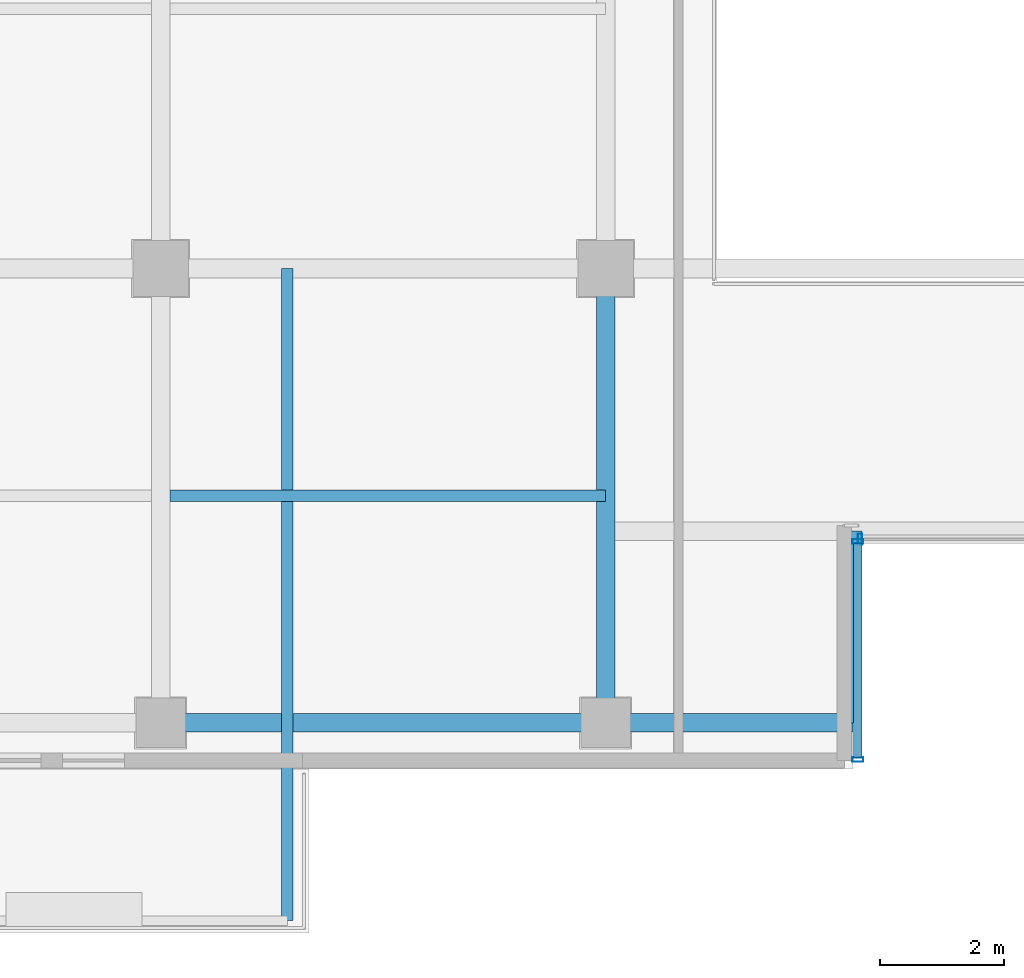
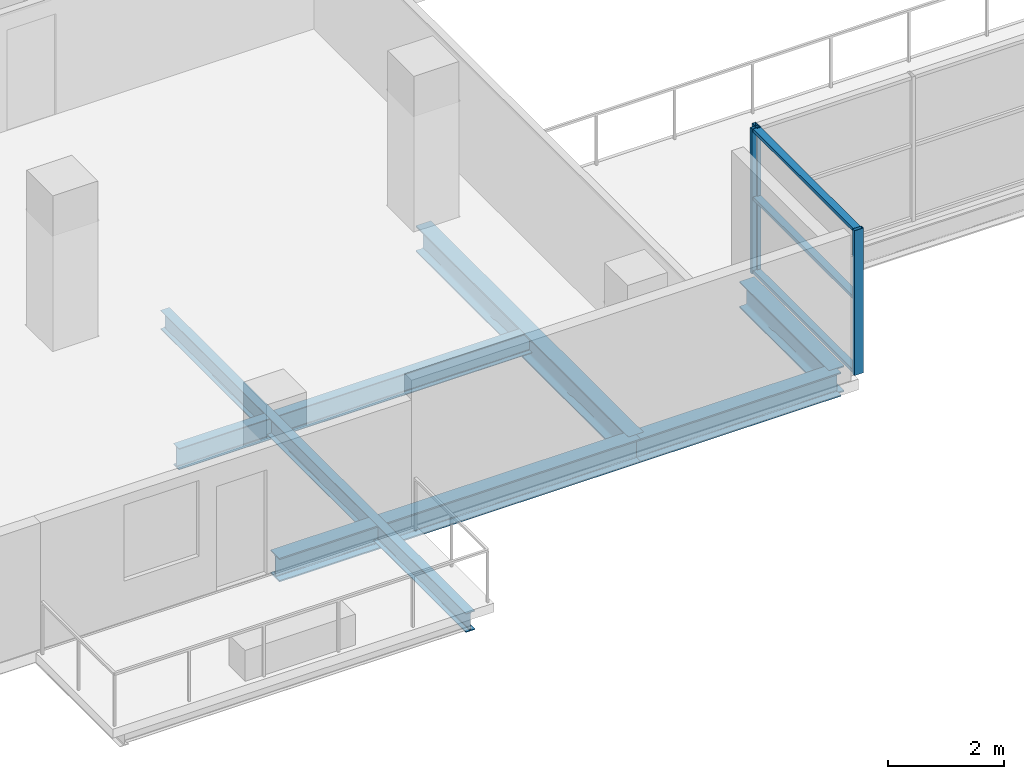
# One storey, part 5 of 27: 6 beams, 6 members, 2 elements without a shape of their own.
"""IFC4 building model written with IfcOpenShell, lengths in metres."""

from ifc_helpers import new_model, si_unit, direction, frame, origin, origin_2d, place, context, subcontext, project, spatial, hollow_rectangle, i_section, extrude, source, transform, mapped, material, layer, layer_set, material_profile, profile_set, type_object, element, aggregate, save


model = new_model("IFC4")

# Units and contexts
model_context = context("Model", 3, precision=1e-05, world=origin(), true_north=direction((0.0, 1.0)))
body_context = subcontext(model_context, "Body", "Model", "MODEL_VIEW")
ifc_project = project(units=[si_unit("LENGTHUNIT", "METRE"), si_unit("AREAUNIT", "SQUARE_METRE"), si_unit("VOLUMEUNIT", "CUBIC_METRE"), si_unit("PLANEANGLEUNIT", "RADIAN"), si_unit("MASSUNIT", "GRAM", prefix="KILO")], contexts=[model_context])

# Site, building, storey
site_placement = place(None, origin())
site = spatial("IfcSite", under=ifc_project, at=site_placement, CompositionType="ELEMENT")
building_placement = place(site_placement, origin())
building = spatial("IfcBuilding", under=site, at=building_placement, Name="Zarnakvel Exchange Tower", CompositionType="ELEMENT")
storey_placement = place(building_placement, frame((0.0, 0.0, 106.60009765625)))
storey = spatial("IfcBuildingStorey", under=building, at=storey_placement, Name="L29", CompositionType="ELEMENT", Elevation=106.60009765625)

# Beams
ifc_material_1 = material(Name="Steel S355", Category="steel")
ifc_material_profile_1 = material_profile(ifc_material_1, i_section(OverallWidth=0.18994140625, OverallDepth=0.449951171875, WebThickness=0.009521484375, FlangeThickness=0.0146484375, FilletRadius=0.02099609375, at=origin_2d()))
ifc_profile_set_1 = profile_set([ifc_material_profile_1], Name="Steel S355")
beam_type_1 = type_object("IfcBeamType", Name="B-05", PredefinedType="JOIST", material=ifc_profile_set_1)
beam_1_placement = place(storey_placement, frame((-14.25, -13.27490234375, -0.4501953125), z_axis=(1.0, 0.0, 0.0), x_axis=(0.0, 1.0, 0.0)))
element("IfcBeam", 1, at=beam_1_placement, inside=storey, type_object=beam_type_1, Name="L29 Composite Floor Secondary Joist", PredefinedType="JOIST", context=body_context, shape_type="SweptSolid", body=[
    extrude(i_section(OverallWidth=0.18994140625, OverallDepth=0.449951171875, WebThickness=0.009521484375, FlangeThickness=0.0146484375, FilletRadius=0.02099609375, at=origin_2d()), origin(), (0.0, 0.0, 1.0), 7.050048828125),
])
ifc_material_profile_2 = material_profile(ifc_material_1, i_section(OverallWidth=0.179931640625, OverallDepth=0.39990234375, WebThickness=0.008544921875, FlangeThickness=0.013427734375, FilletRadius=0.02099609375, at=origin_2d()))
ifc_profile_set_2 = profile_set([ifc_material_profile_2], Name="Steel S355")
beam_type_2 = type_object("IfcBeamType", Name="B-06", PredefinedType="JOIST", material=ifc_profile_set_2)
beam_2_placement = place(storey_placement, frame((-12.35009765625, -9.60009765625, -0.425048828125), z_axis=(0.0, -1.0, 0.0), x_axis=(1.0, 0.0, 0.0)))
element("IfcBeam", 2, at=beam_2_placement, inside=storey, type_object=beam_type_2, Name="L29 Continuous Back-Spanned Balcony Beam E", PredefinedType="JOIST", context=body_context, shape_type="SweptSolid", body=[
    extrude(i_section(OverallWidth=0.179931640625, OverallDepth=0.39990234375, WebThickness=0.008544921875, FlangeThickness=0.013427734375, FilletRadius=0.02099609375, at=origin_2d()), origin(), (0.0, 0.0, 1.0), 10.5498046875),
])
ifc_material_profile_3 = material_profile(ifc_material_1, i_section(OverallWidth=0.300048828125, OverallDepth=0.550048828125, WebThickness=0.014892578125, FlangeThickness=0.029052734375, FilletRadius=0.027099609375, at=origin_2d()))
ifc_profile_set_3 = profile_set([ifc_material_profile_3], Name="Steel S355")
beam_type_3 = type_object("IfcBeamType", Name="G-05", PredefinedType="BEAM", material=ifc_profile_set_3)
beam_3_placement = place(storey_placement, frame((-3.199951171875, -16.949951171875, -0.5), z_axis=(0.0, 1.0, 0.0), x_axis=(-1.0, 0.0, 0.0)))
element("IfcBeam", 3, at=beam_3_placement, inside=storey, type_object=beam_type_3, Name="L29 South Slot West Cheek Beam", PredefinedType="BEAM", context=body_context, shape_type="SweptSolid", body=[
    extrude(i_section(OverallWidth=0.300048828125, OverallDepth=0.550048828125, WebThickness=0.014892578125, FlangeThickness=0.029052734375, FilletRadius=0.027099609375, at=origin_2d()), origin(), (0.0, 0.0, 1.0), 3.099853515625),
])
beam_4_placement = place(storey_placement, frame((-7.199951171875, -16.949951171875, -0.5), z_axis=(0.0, 1.0, 0.0), x_axis=(-1.0, 0.0, 0.0)))
element("IfcBeam", 4, at=beam_4_placement, inside=storey, type_object=beam_type_3, Name="L29 Tower N-S Frame Beam", PredefinedType="BEAM", context=body_context, shape_type="SweptSolid", body=[
    extrude(i_section(OverallWidth=0.300048828125, OverallDepth=0.550048828125, WebThickness=0.014892578125, FlangeThickness=0.029052734375, FilletRadius=0.027099609375, at=origin_2d()), origin(), (0.0, 0.0, 1.0), 7.349853515625),
])
ifc_material_profile_4 = material_profile(ifc_material_1, i_section(OverallWidth=0.300048828125, OverallDepth=0.5, WebThickness=0.014404296875, FlangeThickness=0.028076171875, FilletRadius=0.027099609375, at=origin_2d()))
ifc_profile_set_4 = profile_set([ifc_material_profile_4], Name="Steel S355")
beam_type_4 = type_object("IfcBeamType", Name="SP-02", PredefinedType="SPANDREL", material=ifc_profile_set_4)
beam_5_placement = place(storey_placement, frame((-14.39990234375, -16.949951171875, -0.47509765625), z_axis=(1.0, 0.0, 0.0), x_axis=(0.0, 1.0, 0.0)))
element("IfcBeam", 5, at=beam_5_placement, inside=storey, type_object=beam_type_4, Name="L29 Tower E-W Frame Beam", PredefinedType="SPANDREL", context=body_context, shape_type="SweptSolid", body=[
    extrude(i_section(OverallWidth=0.300048828125, OverallDepth=0.5, WebThickness=0.014404296875, FlangeThickness=0.028076171875, FilletRadius=0.027099609375, at=origin_2d()), origin(), (0.0, 0.0, 1.0), 7.199951171875),
])
beam_6_placement = place(storey_placement, frame((-7.199951171875, -16.949951171875, -0.47509765625), z_axis=(1.0, 0.0, 0.0), x_axis=(0.0, 1.0, 0.0)))
element("IfcBeam", 6, at=beam_6_placement, inside=storey, type_object=beam_type_4, Name="L29 South Slot West Jamb Spandrel", PredefinedType="SPANDREL", context=body_context, shape_type="SweptSolid", body=[
    extrude(i_section(OverallWidth=0.300048828125, OverallDepth=0.5, WebThickness=0.014404296875, FlangeThickness=0.028076171875, FilletRadius=0.027099609375, at=origin_2d()), origin(), (0.0, 0.0, 1.0), 4.0),
])

# Curtain wall, members
ifc_material_2 = material(Name="Architectural Bronze Anodised Aluminium", Category="aluminium")
ifc_layer = layer(ifc_material_2, 0.179931640625)
ifc_layer_set = layer_set([ifc_layer], Name="Architectural Bronze Anodised Aluminium")
curtain_wall_type = type_object("IfcCurtainWallType", Name="CW-05", PredefinedType="NOTDEFINED", material=ifc_layer_set)
curtain_wall_1_placement = place(storey_placement, origin())
curtain_wall_1 = element("IfcCurtainWall", 7, at=curtain_wall_1_placement, inside=storey, type_object=curtain_wall_type, Name="L29 Curtain Wall CW-L29-SLW (CW-05)", PredefinedType="NOTDEFINED")
ifc_material_profile_5 = material_profile(ifc_material_2, hollow_rectangle(XDim=0.139892578125, YDim=0.070068359375, WallThickness=0.00390625, at=origin_2d()))
ifc_profile_set_5 = profile_set([ifc_material_profile_5], Name="Architectural Bronze Anodised Aluminium")
member_type_1 = type_object("IfcMemberType", Name="CWT-05", PredefinedType="USERDEFINED", material=ifc_profile_set_5)
shared_shape_1 = source(origin(), body_context, "Body", "SweptSolid", [
    extrude(hollow_rectangle(XDim=0.139892578125, YDim=0.070068359375, WallThickness=0.00390625, at=origin_2d()), origin(), (0.0, 0.0, 1.0), 3.4599609375),
])
member_1_placement = place(storey_placement, frame((-3.1201171875, -17.510009765625, 0.034912109375), z_axis=(0.0, 1.0, 0.0), x_axis=(-1.0, 0.0, 0.0)))
member_1 = element("IfcMember", 8, at=member_1_placement, type_object=member_type_1, Name="CW-05 transom 1.1", ObjectType="TRANSOM", PredefinedType="USERDEFINED", context=body_context, shape_type="MappedRepresentation", body=[
    mapped(shared_shape_1, transform((0.0, 0.0, 0.0), x_axis=(1.0, 0.0, 0.0), y_axis=(0.0, 1.0, 0.0), z_axis=(0.0, 0.0, 1.0), scale=1.0)),
])
member_2_placement = place(storey_placement, frame((-3.1201171875, -17.510009765625, 1.588623046875), z_axis=(0.0, 1.0, 0.0), x_axis=(-1.0, 0.0, 0.0)))
member_2 = element("IfcMember", 9, at=member_2_placement, type_object=member_type_1, Name="CW-05 transom 1.2", ObjectType="TRANSOM", PredefinedType="USERDEFINED", context=body_context, shape_type="MappedRepresentation", body=[
    mapped(shared_shape_1, transform((0.0, 0.0, 0.0), x_axis=(1.0, 0.0, 0.0), y_axis=(0.0, 1.0, 0.0), z_axis=(0.0, 0.0, 1.0), scale=1.0)),
])
member_3_placement = place(storey_placement, frame((-3.1201171875, -17.510009765625, 3.02001953125), z_axis=(0.0, 1.0, 0.0), x_axis=(-1.0, 0.0, 0.0)))
member_3 = element("IfcMember", 10, at=member_3_placement, type_object=member_type_1, Name="CW-05 transom 1.3", ObjectType="TRANSOM", PredefinedType="USERDEFINED", context=body_context, shape_type="MappedRepresentation", body=[
    mapped(shared_shape_1, transform((0.0, 0.0, 0.0), x_axis=(1.0, 0.0, 0.0), y_axis=(0.0, 1.0, 0.0), z_axis=(0.0, 0.0, 1.0), scale=1.0)),
])
ifc_material_profile_6 = material_profile(ifc_material_2, hollow_rectangle(XDim=0.179931640625, YDim=0.070068359375, WallThickness=0.00390625, at=origin_2d()))
ifc_profile_set_6 = profile_set([ifc_material_profile_6], Name="Architectural Bronze Anodised Aluminium")
member_type_2 = type_object("IfcMemberType", Name="CWM-05", PredefinedType="MULLION", material=ifc_profile_set_6)
shared_shape_2 = source(origin(), body_context, "Body", "SweptSolid", [
    extrude(hollow_rectangle(XDim=0.179931640625, YDim=0.070068359375, WallThickness=0.00390625, at=origin_2d()), origin(), (0.0, 0.0, 1.0), 3.054931640625),
])
member_4_placement = place(storey_placement, frame((-3.1201171875, -17.544921875, 0.0), z_axis=(0.0, 0.0, 1.0), x_axis=(-1.0, 0.0, 0.0)))
member_4 = element("IfcMember", 11, at=member_4_placement, type_object=member_type_2, Name="CW-05 mullion 1", PredefinedType="MULLION", context=body_context, shape_type="MappedRepresentation", body=[
    mapped(shared_shape_2, transform((0.0, 0.0, 0.0), x_axis=(1.0, 0.0, 0.0), y_axis=(0.0, 1.0, 0.0), z_axis=(0.0, 0.0, 1.0), scale=1.0)),
])
member_5_placement = place(storey_placement, frame((-3.1201171875, -14.014892578125, 0.0), z_axis=(0.0, 0.0, 1.0), x_axis=(-1.0, 0.0, 0.0)))
member_5 = element("IfcMember", 12, at=member_5_placement, type_object=member_type_2, Name="CW-05 mullion 2", PredefinedType="MULLION", context=body_context, shape_type="MappedRepresentation", body=[
    mapped(shared_shape_2, transform((0.0, 0.0, 0.0), x_axis=(1.0, 0.0, 0.0), y_axis=(0.0, 1.0, 0.0), z_axis=(0.0, 0.0, 1.0), scale=1.0)),
])
aggregate(curtain_wall_1, [member_4, member_5, member_1, member_2, member_3])

# Curtain wall, member
curtain_wall_2_placement = place(storey_placement, origin())
curtain_wall_2 = element("IfcCurtainWall", 13, at=curtain_wall_2_placement, inside=storey, type_object=curtain_wall_type, Name="L29 Curtain Wall CW-L29-SLB (CW-05)", PredefinedType="NOTDEFINED")
member_6_placement = place(storey_placement, frame((-3.0849609375, -13.97998046875, 0.0), z_axis=(0.0, 0.0, 1.0), x_axis=(0.0, 1.0, 0.0)))
member_6 = element("IfcMember", 14, at=member_6_placement, type_object=member_type_2, Name="CW-05 mullion 1", PredefinedType="MULLION", context=body_context, shape_type="MappedRepresentation", body=[
    mapped(shared_shape_2, transform((0.0, 0.0, 0.0), x_axis=(1.0, 0.0, 0.0), y_axis=(0.0, 1.0, 0.0), z_axis=(0.0, 0.0, 1.0), scale=1.0)),
])
aggregate(curtain_wall_2, [member_6])

save(model, "model.ifc")
